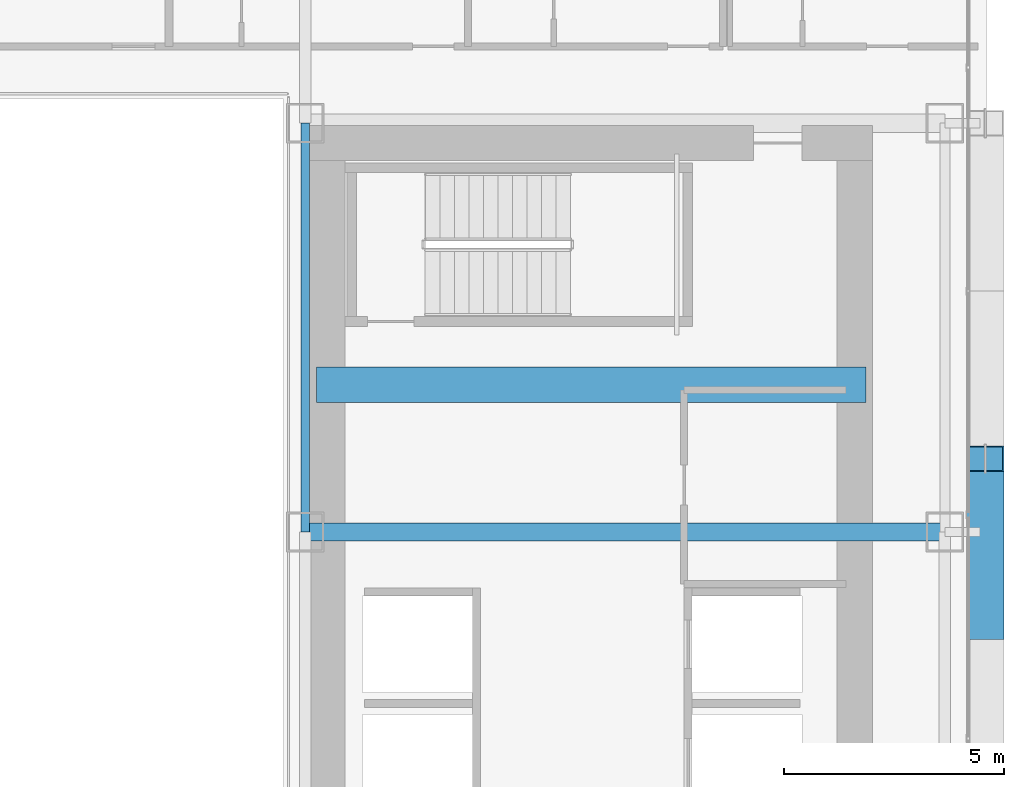
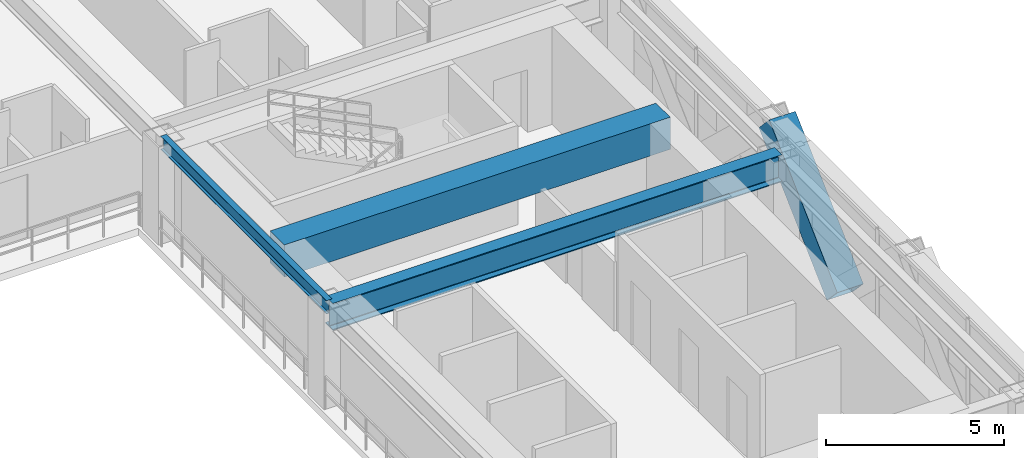
# One storey, part 14 of 38: 3 beams, 1 member.
"""IFC4 building model written with IfcOpenShell, lengths in metres."""

from ifc_helpers import new_model, si_unit, direction, frame, origin, origin_2d, place, context, subcontext, project, spatial, rectangle, hollow_rectangle, i_section, extrude, source, transform, mapped, material, material_profile, profile_set, type_object, element, save


model = new_model("IFC4")

# Units and contexts
model_context = context("Model", 3, precision=1e-05, world=origin(), true_north=direction((0.0, 1.0)))
body_context = subcontext(model_context, "Body", "Model", "MODEL_VIEW")
ifc_project = project(units=[si_unit("LENGTHUNIT", "METRE"), si_unit("AREAUNIT", "SQUARE_METRE"), si_unit("VOLUMEUNIT", "CUBIC_METRE"), si_unit("PLANEANGLEUNIT", "RADIAN"), si_unit("MASSUNIT", "GRAM", prefix="KILO")], contexts=[model_context])

# Site, building, storey
site_placement = place(None, origin())
site = spatial("IfcSite", under=ifc_project, at=site_placement, CompositionType="ELEMENT")
building_placement = place(site_placement, origin())
building = spatial("IfcBuilding", under=site, at=building_placement, Name="Ocotamira Hotel", CompositionType="ELEMENT")
storey_placement = place(building_placement, frame((0.0, 0.0, 60.0)))
storey = spatial("IfcBuildingStorey", under=building, at=storey_placement, Name="L14", CompositionType="ELEMENT", Elevation=60.0)

# Beams
ifc_material_1 = material(Name="Concrete C60/75", Category="concrete")
ifc_material_profile_1 = material_profile(ifc_material_1, rectangle(XDim=0.800048828125, YDim=1.10009765625, at=origin_2d()), Name="RC800X1100")
ifc_profile_set_1 = profile_set([ifc_material_profile_1], Name="Concrete C60/75")
beam_type_1 = type_object("IfcBeamType", Name="BM-LINK-RC800", PredefinedType="LINTEL", material=ifc_profile_set_1)
shared_shape_1 = source(origin(), body_context, "Body", "SweptSolid", [
    extrude(rectangle(XDim=0.800048828125, YDim=1.10009765625, at=origin_2d()), origin(), (0.0, 0.0, 1.0), 12.5),
])
beam_1_placement = place(storey_placement, frame((40.75, 31.5, 2.800048828125), z_axis=(1.0, 0.0, 0.0), x_axis=(0.0, 1.0, 0.0)))
element("IfcBeam", 1, at=beam_1_placement, inside=storey, type_object=beam_type_1, Name="L14 East Core Coupling Beam", PredefinedType="LINTEL", context=body_context, shape_type="MappedRepresentation", body=[
    mapped(shared_shape_1, transform((0.0, 0.0, 0.0), scale=1.0)),
])
ifc_material_2 = material(Name="Steel ASTM A992 Grade 50", Category="steel")
ifc_material_profile_2 = material_profile(ifc_material_2, i_section(OverallWidth=0.41796875, OverallDepth=0.927001953125, WebThickness=0.019287109375, FlangeThickness=0.031982421875, FilletRadius=0.02392578125, at=origin_2d()), Name="W36X231")
ifc_profile_set_2 = profile_set([ifc_material_profile_2], Name="Steel ASTM A992 Grade 50")
beam_type_2 = type_object("IfcBeamType", Name="BM-GIRD-W36X231", PredefinedType="BEAM", material=ifc_profile_set_2)
shared_shape_2 = source(origin(), body_context, "Body", "SweptSolid", [
    extrude(i_section(OverallWidth=0.41796875, OverallDepth=0.927001953125, WebThickness=0.019287109375, FlangeThickness=0.031982421875, FilletRadius=0.02392578125, at=origin_2d()), origin(), (0.0, 0.0, 1.0), 14.550048828125),
])
beam_2_placement = place(storey_placement, frame((40.5, 28.14990234375, 2.886474609375), z_axis=(1.0, 0.0, 0.0), x_axis=(0.0, 1.0, 0.0)))
element("IfcBeam", 2, at=beam_2_placement, inside=storey, type_object=beam_type_2, Name="L14 Girder Y28.15 X40.5-55.05", PredefinedType="BEAM", context=body_context, shape_type="MappedRepresentation", body=[
    mapped(shared_shape_2, transform((0.0, 0.0, 0.0), scale=1.0)),
])
ifc_material_profile_3 = material_profile(ifc_material_2, i_section(OverallWidth=0.18994140625, OverallDepth=0.45703125, WebThickness=0.009033203125, FlangeThickness=0.014404296875, FilletRadius=0.010009765625, at=origin_2d()), Name="W18X50")
ifc_profile_set_3 = profile_set([ifc_material_profile_3], Name="Steel ASTM A992 Grade 50")
beam_type_3 = type_object("IfcBeamType", Name="BM-SEC-W18X50", PredefinedType="JOIST", material=ifc_profile_set_3)
shared_shape_3 = source(origin(), body_context, "Body", "SweptSolid", [
    extrude(i_section(OverallWidth=0.18994140625, OverallDepth=0.45703125, WebThickness=0.009033203125, FlangeThickness=0.014404296875, FilletRadius=0.010009765625, at=origin_2d()), origin(), (0.0, 0.0, 1.0), 9.300048828125),
])
beam_3_placement = place(storey_placement, frame((40.5, 28.14990234375, 3.12158203125), z_axis=(0.0, 1.0, 0.0), x_axis=(-1.0, 0.0, 0.0)))
element("IfcBeam", 3, at=beam_3_placement, inside=storey, type_object=beam_type_3, Name="L14 Beam X40.5 Y28.15-37.45", PredefinedType="JOIST", context=body_context, shape_type="MappedRepresentation", body=[
    mapped(shared_shape_3, transform((0.0, 0.0, 0.0), scale=1.0)),
])

# Member
ifc_material_3 = material(Name="Pale-metal coated steel ASTM A913 Grade 65", Category="steel")
ifc_material_profile_4 = material_profile(ifc_material_3, hollow_rectangle(XDim=0.85009765625, YDim=0.85009765625, WallThickness=0.035888671875, at=origin_2d()), Name="BOX850X850X36")
ifc_profile_set_4 = profile_set([ifc_material_profile_4], Name="Pale-metal coated steel ASTM A913 Grade 65")
member_type = type_object("IfcMemberType", Name="MEM-EXO-BOX850", PredefinedType="BRACE", material=ifc_profile_set_4)
shared_shape_4 = source(origin(), body_context, "Body", "SweptSolid", [
    extrude(hollow_rectangle(XDim=0.85009765625, YDim=0.85009765625, WallThickness=0.035888671875, at=origin_2d()), origin(), (0.0, 0.0, 1.0), 5.24658203125),
])
member_placement = place(storey_placement, frame((55.969970703125, 26.0, -0.5), z_axis=(0.0, 0.727442733726, 0.686168397078), x_axis=(-1.0, 0.0, 0.0)))
element("IfcMember", 4, at=member_placement, inside=storey, type_object=member_type, Name="L14 Exoskeleton Diagrid E1.2", PredefinedType="BRACE", context=body_context, shape_type="MappedRepresentation", body=[
    mapped(shared_shape_4, transform((0.0, 0.0, 0.0), scale=1.0)),
])

save(model, "model.ifc")
